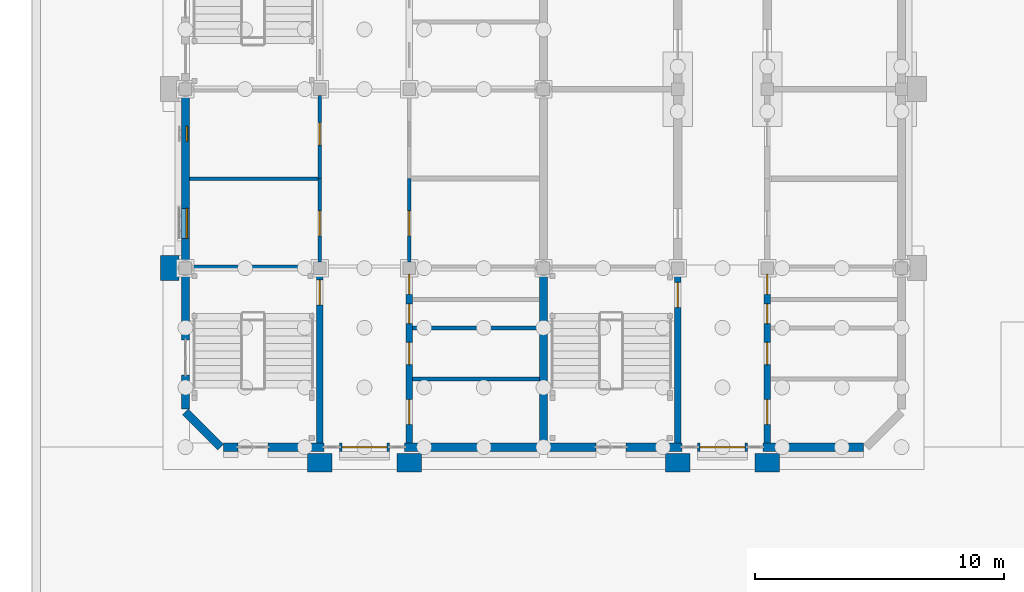
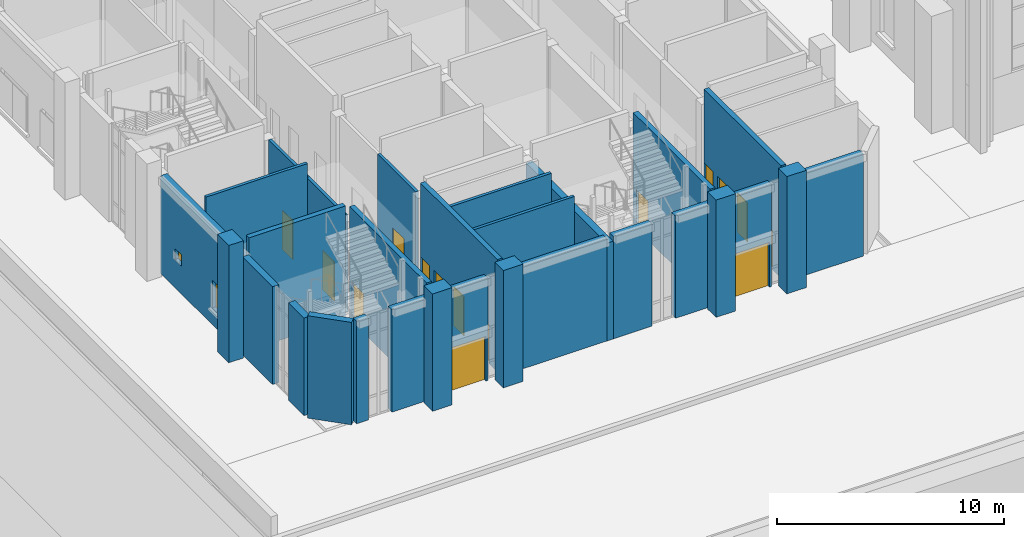
# One storey, part 32 of 84: 29 walls, 15 doors, 2 windows, 17 openings.
"""IFC4 building model written with IfcOpenShell, lengths in metres."""

from ifc_helpers import new_model, si_unit, direction, frame, frame_2d, origin, place, context, subcontext, project, spatial, rectangle, extrude, material, layer, layer_set, type_object, element, fill, save


model = new_model("IFC4")

# Units and contexts
model_context = context("Model", 3, precision=1e-05, world=origin(), true_north=direction((0.0, 1.0)))
body_context = subcontext(model_context, "Body", "Model", "MODEL_VIEW")
ifc_project = project(units=[si_unit("LENGTHUNIT", "METRE"), si_unit("AREAUNIT", "SQUARE_METRE"), si_unit("VOLUMEUNIT", "CUBIC_METRE"), si_unit("PLANEANGLEUNIT", "RADIAN"), si_unit("MASSUNIT", "GRAM", prefix="KILO")], contexts=[model_context])

# Site, building, storey
site_placement = place(None, origin())
site = spatial("IfcSite", under=ifc_project, at=site_placement, CompositionType="ELEMENT")
building_placement = place(site_placement, origin())
building = spatial("IfcBuilding", under=site, at=building_placement, Name="Mazhai Court Health Centre", CompositionType="ELEMENT")
storey_placement = place(building_placement, origin())
storey = spatial("IfcBuildingStorey", under=building, at=storey_placement, Name="L00", CompositionType="ELEMENT", Elevation=0.0)

# Walls
ifc_material_1 = material(Name="Clay brick masonry", Category="masonry")
ifc_layer_1 = layer(ifc_material_1, 0.75)
ifc_layer_set_1 = layer_set([ifc_layer_1], Name="BRICK PIER 750")
wall_type_1 = type_object("IfcWallType", Name="BRICK PIER 750", PredefinedType="SOLIDWALL", material=ifc_layer_set_1)
for number, where, z_axis, x_axis, name in (
    (1, (5.574951171875, 12.89990234375, 0.0), (0.0, 0.0, 1.0), (0.0, 1.0, 0.0), "EP-V2-L00-A1"),
    (2, (12.10009765625, 5.574951171875, 0.0), (0.0, 0.0, 1.0), (-1.0, 0.0, 0.0), "EP-V2-L00-S54"),
    (3, (15.699951171875, 5.574951171875, 0.0), (0.0, 0.0, 1.0), (-1.0, 0.0, 0.0), "EP-V2-L00-S90"),
    (4, (26.5, 5.574951171875, 0.0), (0.0, 0.0, 1.0), (-1.0, 0.0, 0.0), "EP-V5-L00-S54"),
    (5, (30.10009765625, 5.574951171875, 0.0), (0.0, 0.0, 1.0), (-1.0, 0.0, 0.0), "EP-V5-L00-S90"),
):
    element("IfcWall", number, at=place(storey_placement, frame(where, z_axis=z_axis, x_axis=x_axis)), inside=storey, type_object=wall_type_1, Name=name, PredefinedType="SOLIDWALL", context=body_context, shape_type="SweptSolid", body=[
        extrude(rectangle(XDim=1.0, YDim=0.75, at=frame_2d((0.5, 0.0))), origin(), (0.0, 0.0, 1.0), 6.300048828125),
    ])
ifc_material_2 = material(Name="Clay brick masonry", Category="masonry")
ifc_layer_2 = layer(ifc_material_2, 0.330078125)
ifc_layer_set_2 = layer_set([ifc_layer_2], Name="BRICK WALL 330 EXTERNAL")
wall_type_2 = type_object("IfcWallType", Name="BRICK WALL 330 EXTERNAL", PredefinedType="SOLIDWALL", material=ifc_layer_set_2)
wall_1_placement = place(storey_placement, frame((6.199951171875, 7.73095703125, 0.0), z_axis=(0.0, 0.0, 1.0), x_axis=(0.0, 1.0, 0.0)))
element("IfcWall", 6, at=wall_1_placement, inside=storey, type_object=wall_type_2, Name="EW-V2-L00-A0a", PredefinedType="SOLIDWALL", context=body_context, shape_type="SweptSolid", body=[
    extrude(rectangle(XDim=1.369140625, YDim=0.330078125, at=frame_2d((0.6845703125, 0.0))), origin(), (0.0, 0.0, 1.0), 5.25),
])
wall_2_placement = place(storey_placement, frame((6.199951171875, 10.5, 0.0), z_axis=(0.0, 0.0, 1.0), x_axis=(0.0, 1.0, 0.0)))
element("IfcWall", 7, at=wall_2_placement, inside=storey, type_object=wall_type_2, Name="EW-V2-L00-A0b", PredefinedType="SOLIDWALL", context=body_context, shape_type="SweptSolid", body=[
    extrude(rectangle(XDim=2.64990234375, YDim=0.330078125, at=frame_2d((1.324951171875, 0.0))), origin(), (0.0, 0.0, 1.0), 5.25),
])

# Wall, openings, windows
wall_3_placement = place(storey_placement, frame((6.199951171875, 13.64990234375, 0.0), z_axis=(0.0, 0.0, 1.0), x_axis=(0.0, 1.0, 0.0)))
wall_3 = element("IfcWall", 8, at=wall_3_placement, inside=storey, type_object=wall_type_2, Name="EW-V2-L00-A1p0", PredefinedType="SOLIDWALL", context=body_context, shape_type="SweptSolid", body=[
    extrude(rectangle(XDim=6.7001953125, YDim=0.330078125, at=frame_2d((3.35009765625, 0.0))), origin(), (0.0, 0.0, 1.0), 5.25),
])
opening_1_placement = place(wall_3_placement, frame((0.949951171875, 0.0, 0.89990234375)))
opening_1 = element("IfcOpeningElement", 9, at=opening_1_placement, cuts=wall_3, Name="Opening W12", PredefinedType="OPENING", context=body_context, shape_type="SweptSolid", body=[
    extrude(rectangle(XDim=1.199951171875, YDim=1.5, at=frame_2d((0.60009765625, 0.75))), frame((0.0, 0.175048828125, 0.0), z_axis=(0.0, -1.0, 0.0), x_axis=(1.0, 0.0, 0.0)), (0.0, 0.0, 1.0), 0.35009765625),
])
opening_2_placement = place(wall_3_placement, frame((4.85009765625, 0.0, 1.5)))
opening_2 = element("IfcOpeningElement", 10, at=opening_2_placement, cuts=wall_3, Name="Opening W5", PredefinedType="OPENING", context=body_context, shape_type="SweptSolid", body=[
    extrude(rectangle(XDim=0.60009765625, YDim=0.60009765625, at=frame_2d((0.300048828125, 0.300048828125))), frame((0.0, 0.175048828125, 0.0), z_axis=(0.0, -1.0, 0.0), x_axis=(1.0, 0.0, 0.0)), (0.0, 0.0, 1.0), 0.35009765625),
])
ifc_material_3 = material(Name="Teak timber frame, glazed", Category="wood")
window_type_1 = type_object("IfcWindowType", Name="WINDOW HIGH LEVEL 600x600", PartitioningType="SINGLE_PANEL", PredefinedType="WINDOW", material=ifc_material_3)
window_1_placement = place(opening_2_placement, origin())
window_1 = element("IfcWindow", 11, at=window_1_placement, inside=storey, type_object=window_type_1, Name="W5 WN-V2-L00-A11", OverallHeight=0.60009765625, OverallWidth=0.60009765625, PartitioningType="SINGLE_PANEL", PredefinedType="WINDOW", context=body_context, shape_type="SweptSolid", body=[
    extrude(rectangle(XDim=0.60009765625, YDim=0.60009765625, at=frame_2d((0.300048828125, 0.300048828125))), frame((0.0, -0.030029296875, 0.0), z_axis=(0.0, -1.0, 0.0), x_axis=(1.0, 0.0, 0.0)), (0.0, 0.0, 1.0), 0.06005859375),
])
fill(opening_2, window_1)
ifc_material_4 = material(Name="Teak timber frame, glazed", Category="wood")
window_type_2 = type_object("IfcWindowType", Name="WINDOW OFFICE 1200x1500", PartitioningType="SINGLE_PANEL", PredefinedType="WINDOW", material=ifc_material_4)
window_2_placement = place(opening_1_placement, origin())
window_2 = element("IfcWindow", 12, at=window_2_placement, inside=storey, type_object=window_type_2, Name="W12 WN-V2-L00-A10", OverallHeight=1.5, OverallWidth=1.199951171875, PartitioningType="SINGLE_PANEL", PredefinedType="WINDOW", context=body_context, shape_type="SweptSolid", body=[
    extrude(rectangle(XDim=1.199951171875, YDim=1.5, at=frame_2d((0.60009765625, 0.75))), frame((0.0, -0.030029296875, 0.0), z_axis=(0.0, -1.0, 0.0), x_axis=(1.0, 0.0, 0.0)), (0.0, 0.0, 1.0), 0.06005859375),
])
fill(opening_1, window_2)

# Walls
wall_4_placement = place(storey_placement, frame((8.320068359375, 6.199951171875, 0.0), z_axis=(0.0, 0.0, 1.0), x_axis=(-1.0, 0.0, 0.0)))
element("IfcWall", 13, at=wall_4_placement, inside=storey, type_object=wall_type_2, Name="EW-V2-L00-Sp0", PredefinedType="SOLIDWALL", context=body_context, shape_type="SweptSolid", body=[
    extrude(rectangle(XDim=0.589111328125, YDim=0.330078125, at=frame_2d((0.29443359375, 0.0))), origin(), (0.0, 0.0, 1.0), 5.5),
])
wall_5_placement = place(storey_placement, frame((11.780029296875, 6.199951171875, 0.0), z_axis=(0.0, 0.0, 1.0), x_axis=(-1.0, 0.0, 0.0)))
element("IfcWall", 14, at=wall_5_placement, inside=storey, type_object=wall_type_2, Name="EW-V2-L00-Sp1", PredefinedType="SOLIDWALL", context=body_context, shape_type="SweptSolid", body=[
    extrude(rectangle(XDim=2.260009765625, YDim=0.330078125, at=frame_2d((1.1298828125, 0.0))), origin(), (0.0, 0.0, 1.0), 5.5),
])

# Wall, opening, door
wall_6_placement = place(storey_placement, frame((14.39990234375, 6.199951171875, 0.0), z_axis=(0.0, 0.0, 1.0), x_axis=(-1.0, 0.0, 0.0)))
wall_6 = element("IfcWall", 15, at=wall_6_placement, inside=storey, type_object=wall_type_2, Name="EW-V2-L00-Sp2", PredefinedType="SOLIDWALL", context=body_context, shape_type="SweptSolid", body=[
    extrude(rectangle(XDim=2.0, YDim=0.330078125, at=frame_2d((1.0, 0.0))), origin(), (0.0, 0.0, 1.0), 5.5),
])
opening_3_placement = place(wall_6_placement, frame((0.10009765625, 0.0, 0.0)))
opening_3 = element("IfcOpeningElement", 16, at=opening_3_placement, cuts=wall_6, Name="Opening D-L00-008", PredefinedType="OPENING", context=body_context, shape_type="SweptSolid", body=[
    extrude(rectangle(XDim=1.800048828125, YDim=2.39990234375, at=frame_2d((0.89990234375, 1.199951171875))), frame((0.0, 0.175048828125, 0.0), z_axis=(0.0, -1.0, 0.0), x_axis=(1.0, 0.0, 0.0)), (0.0, 0.0, 1.0), 0.35009765625),
])
ifc_material_5 = material(Name="Teak timber door, glazed", Category="wood")
door_type_1 = type_object("IfcDoorType", Name="DOOR ENTRANCE DOUBLE 1800x2400", OperationType="DOUBLE_DOOR_SINGLE_SWING", PredefinedType="DOOR", material=ifc_material_5)
door_1_placement = place(opening_3_placement, origin())
door_1 = element("IfcDoor", 17, at=door_1_placement, inside=storey, type_object=door_type_1, Name="L00-E02", OperationType="DOUBLE_DOOR_SINGLE_SWING", OverallHeight=2.39990234375, OverallWidth=1.800048828125, PredefinedType="DOOR", context=body_context, shape_type="SweptSolid", body=[
    extrude(rectangle(XDim=1.800048828125, YDim=2.39990234375, at=frame_2d((0.89990234375, 1.199951171875))), frame((0.0, 0.02490234375, 0.0), z_axis=(0.0, -1.0, 0.0), x_axis=(1.0, 0.0, 0.0)), (0.0, 0.0, 1.0), 0.050048828125),
])
fill(opening_3, door_1)

# Walls
wall_7_placement = place(storey_placement, frame((20.43505859375, 6.199951171875, 0.0), z_axis=(0.0, 0.0, 1.0), x_axis=(-1.0, 0.0, 0.0)))
element("IfcWall", 18, at=wall_7_placement, inside=storey, type_object=wall_type_2, Name="EW-V2-L00-Sp3", PredefinedType="SOLIDWALL", context=body_context, shape_type="SweptSolid", body=[
    extrude(rectangle(XDim=5.4150390625, YDim=0.330078125, at=frame_2d((2.70751953125, 0.0))), origin(), (0.0, 0.0, 1.0), 5.5),
])
wall_8_placement = place(storey_placement, frame((6.199951171875, 7.614013671875, 0.0), z_axis=(0.0, 0.0, 1.0), x_axis=(0.707106781187, -0.707106781187, 0.0)))
element("IfcWall", 19, at=wall_8_placement, inside=storey, type_object=wall_type_2, Name="EW-V2-L00-CHA", PredefinedType="SOLIDWALL", context=body_context, shape_type="SweptSolid", body=[
    extrude(rectangle(XDim=1.999755859375, YDim=0.330078125, at=frame_2d((1.0, 0.0))), origin(), (0.0, 0.0, 1.0), 5.5),
])
wall_9_placement = place(storey_placement, frame((22.719970703125, 6.199951171875, 0.0), z_axis=(0.0, 0.0, 1.0), x_axis=(-1.0, 0.0, 0.0)))
element("IfcWall", 20, at=wall_9_placement, inside=storey, type_object=wall_type_2, Name="EW-V5-L00-Sp0", PredefinedType="SOLIDWALL", context=body_context, shape_type="SweptSolid", body=[
    extrude(rectangle(XDim=1.955078125, YDim=0.330078125, at=frame_2d((0.9775390625, 0.0))), origin(), (0.0, 0.0, 1.0), 5.5),
])
wall_10_placement = place(storey_placement, frame((26.179931640625, 6.199951171875, 0.0), z_axis=(0.0, 0.0, 1.0), x_axis=(-1.0, 0.0, 0.0)))
element("IfcWall", 21, at=wall_10_placement, inside=storey, type_object=wall_type_2, Name="EW-V5-L00-Sp1", PredefinedType="SOLIDWALL", context=body_context, shape_type="SweptSolid", body=[
    extrude(rectangle(XDim=2.260009765625, YDim=0.330078125, at=frame_2d((1.1298828125, 0.0))), origin(), (0.0, 0.0, 1.0), 5.5),
])

# Wall, opening, door
wall_11_placement = place(storey_placement, frame((28.800048828125, 6.199951171875, 0.0), z_axis=(0.0, 0.0, 1.0), x_axis=(-1.0, 0.0, 0.0)))
wall_11 = element("IfcWall", 22, at=wall_11_placement, inside=storey, type_object=wall_type_2, Name="EW-V5-L00-Sp2", PredefinedType="SOLIDWALL", context=body_context, shape_type="SweptSolid", body=[
    extrude(rectangle(XDim=2.0, YDim=0.330078125, at=frame_2d((1.0, 0.0))), origin(), (0.0, 0.0, 1.0), 5.5),
])
opening_4_placement = place(wall_11_placement, frame((0.10009765625, 0.0, 0.0)))
opening_4 = element("IfcOpeningElement", 23, at=opening_4_placement, cuts=wall_11, Name="Opening D-L00-029", PredefinedType="OPENING", context=body_context, shape_type="SweptSolid", body=[
    extrude(rectangle(XDim=1.800048828125, YDim=2.39990234375, at=frame_2d((0.89990234375, 1.199951171875))), frame((0.0, 0.175048828125, 0.0), z_axis=(0.0, -1.0, 0.0), x_axis=(1.0, 0.0, 0.0)), (0.0, 0.0, 1.0), 0.35009765625),
])
door_2_placement = place(opening_4_placement, origin())
door_2 = element("IfcDoor", 24, at=door_2_placement, inside=storey, type_object=door_type_1, Name="L00-E04", OperationType="DOUBLE_DOOR_SINGLE_SWING", OverallHeight=2.39990234375, OverallWidth=1.800048828125, PredefinedType="DOOR", context=body_context, shape_type="SweptSolid", body=[
    extrude(rectangle(XDim=1.800048828125, YDim=2.39990234375, at=frame_2d((0.89990234375, 1.199951171875))), frame((0.0, 0.02490234375, 0.0), z_axis=(0.0, -1.0, 0.0), x_axis=(1.0, 0.0, 0.0)), (0.0, 0.0, 1.0), 0.050048828125),
])
fill(opening_4, door_2)

# Walls
wall_12_placement = place(storey_placement, frame((33.468994140625, 6.199951171875, 0.0), z_axis=(0.0, 0.0, 1.0), x_axis=(-1.0, 0.0, 0.0)))
element("IfcWall", 25, at=wall_12_placement, inside=storey, type_object=wall_type_2, Name="EW-V5-L00-Sp3", PredefinedType="SOLIDWALL", context=body_context, shape_type="SweptSolid", body=[
    extrude(rectangle(XDim=4.049072265625, YDim=0.330078125, at=frame_2d((2.0244140625, 0.0))), origin(), (0.0, 0.0, 1.0), 5.5),
])
ifc_material_6 = material(Name="Clay brick masonry", Category="masonry")
ifc_layer_3 = layer(ifc_material_6, 0.330078125)
ifc_layer_set_3 = layer_set([ifc_layer_3], Name="BRICK WALL 330 INTERNAL")
wall_type_3 = type_object("IfcWallType", Name="BRICK WALL 330 INTERNAL", PredefinedType="SOLIDWALL", material=ifc_layer_set_3)
wall_13_placement = place(storey_placement, frame((20.60009765625, 13.14990234375, 0.0), z_axis=(0.0, 0.0, 1.0), x_axis=(0.0, -1.0, 0.0)))
element("IfcWall", 26, at=wall_13_placement, inside=storey, type_object=wall_type_3, Name="EW-V2-L00-B0", PredefinedType="SOLIDWALL", context=body_context, shape_type="SweptSolid", body=[
    extrude(rectangle(XDim=7.114990234375, YDim=0.330078125, at=frame_2d((3.5576171875, 0.0))), origin(), (0.0, 0.0, 1.0), 5.25),
])

# Wall, opening, door
ifc_material_7 = material(Name="Gypsum plasterboard partition")
ifc_layer_4 = layer(ifc_material_7, 0.14990234375)
ifc_layer_set_4 = layer_set([ifc_layer_4], Name="PARTITION 150 CORRIDOR EI60")
wall_type_4 = type_object("IfcWallType", Name="PARTITION 150 CORRIDOR EI60", PredefinedType="PARTITIONING", material=ifc_layer_set_4)
wall_14_placement = place(storey_placement, frame((11.60009765625, 13.64990234375, 0.0), z_axis=(0.0, 0.0, 1.0), x_axis=(0.0, 1.0, 0.0)))
wall_14 = element("IfcWall", 27, at=wall_14_placement, inside=storey, type_object=wall_type_4, Name="wall-V2-L00-A0-corr-0a", PredefinedType="PARTITIONING", context=body_context, shape_type="SweptSolid", body=[
    extrude(rectangle(XDim=3.35009765625, YDim=0.14990234375, at=frame_2d((1.675048828125, 0.0))), origin(), (0.0, 0.0, 1.0), 5.25),
])
opening_5_placement = place(wall_14_placement, frame((1.050048828125, 0.0, 0.0)))
opening_5 = element("IfcOpeningElement", 28, at=opening_5_placement, cuts=wall_14, Name="Opening D-L00-003", PredefinedType="OPENING", context=body_context, shape_type="SweptSolid", body=[
    extrude(rectangle(XDim=1.0, YDim=2.10009765625, at=frame_2d((0.5, 1.050048828125))), frame((0.0, 0.0849609375, 0.0), z_axis=(0.0, -1.0, 0.0), x_axis=(1.0, 0.0, 0.0)), (0.0, 0.0, 1.0), 0.169921875),
])
ifc_material_8 = material(Name="Hardwood door leaf", Category="wood")
door_type_2 = type_object("IfcDoorType", Name="DOOR 1000x2100 FD30S SINGLE", OperationType="NOTDEFINED", PredefinedType="DOOR", material=ifc_material_8)
door_3_placement = place(opening_5_placement, origin())
door_3 = element("IfcDoor", 29, at=door_3_placement, inside=storey, type_object=door_type_2, Name="door-V2-L00-A0-admission-reception", OperationType="SINGLE_SWING_LEFT", OverallHeight=2.10009765625, OverallWidth=1.0, PredefinedType="DOOR", context=body_context, shape_type="SweptSolid", body=[
    extrude(rectangle(XDim=1.0, YDim=2.10009765625, at=frame_2d((0.5, 1.050048828125))), frame((0.0, 0.02490234375, 0.0), z_axis=(0.0, -1.0, 0.0), x_axis=(1.0, 0.0, 0.0)), (0.0, 0.0, 1.0), 0.050048828125),
])
fill(opening_5, door_3)

wall_15_placement = place(storey_placement, frame((11.60009765625, 20.35009765625, 0.0), z_axis=(0.0, 0.0, 1.0), x_axis=(0.0, -1.0, 0.0)))
wall_15 = element("IfcWall", 30, at=wall_15_placement, inside=storey, type_object=wall_type_4, Name="wall-V2-L00-A0-corr-1a", PredefinedType="PARTITIONING", context=body_context, shape_type="SweptSolid", body=[
    extrude(rectangle(XDim=3.35009765625, YDim=0.14990234375, at=frame_2d((1.675048828125, 0.0))), origin(), (0.0, 0.0, 1.0), 5.25),
])
opening_6_placement = place(wall_15_placement, frame((1.10009765625, 0.0, 0.0)))
opening_6 = element("IfcOpeningElement", 31, at=opening_6_placement, cuts=wall_15, Name="Opening D-L00-004", PredefinedType="OPENING", context=body_context, shape_type="SweptSolid", body=[
    extrude(rectangle(XDim=0.89990234375, YDim=2.10009765625, at=frame_2d((0.449951171875, 1.050048828125))), frame((0.0, 0.0849609375, 0.0), z_axis=(0.0, -1.0, 0.0), x_axis=(1.0, 0.0, 0.0)), (0.0, 0.0, 1.0), 0.169921875),
])
ifc_material_9 = material(Name="Hardwood door leaf", Category="wood")
door_type_3 = type_object("IfcDoorType", Name="DOOR 900x2100 FD30S SINGLE", OperationType="NOTDEFINED", PredefinedType="DOOR", material=ifc_material_9)
door_4_placement = place(opening_6_placement, origin())
door_4 = element("IfcDoor", 32, at=door_4_placement, inside=storey, type_object=door_type_3, Name="door-V2-L00-A0-accessible-wc", OperationType="SINGLE_SWING_LEFT", OverallHeight=2.10009765625, OverallWidth=0.89990234375, PredefinedType="DOOR", context=body_context, shape_type="SweptSolid", body=[
    extrude(rectangle(XDim=0.89990234375, YDim=2.10009765625, at=frame_2d((0.449951171875, 1.050048828125))), frame((0.0, 0.02490234375, 0.0), z_axis=(0.0, -1.0, 0.0), x_axis=(1.0, 0.0, 0.0)), (0.0, 0.0, 1.0), 0.050048828125),
])
fill(opening_6, door_4)

wall_16_placement = place(storey_placement, frame((15.199951171875, 17.0, 0.0), z_axis=(0.0, 0.0, 1.0), x_axis=(0.0, -1.0, 0.0)))
wall_16 = element("IfcWall", 33, at=wall_16_placement, inside=storey, type_object=wall_type_4, Name="wall-V2-L00-B0-corr-0a", PredefinedType="PARTITIONING", context=body_context, shape_type="SweptSolid", body=[
    extrude(rectangle(XDim=3.35009765625, YDim=0.14990234375, at=frame_2d((1.675048828125, 0.0))), origin(), (0.0, 0.0, 1.0), 5.25),
])
opening_7_placement = place(wall_16_placement, frame((1.300048828125, 0.0, 0.0)))
opening_7 = element("IfcOpeningElement", 34, at=opening_7_placement, cuts=wall_16, Name="Opening D-L00-014", PredefinedType="OPENING", context=body_context, shape_type="SweptSolid", body=[
    extrude(rectangle(XDim=1.0, YDim=2.10009765625, at=frame_2d((0.5, 1.050048828125))), frame((0.0, 0.0849609375, 0.0), z_axis=(0.0, -1.0, 0.0), x_axis=(1.0, 0.0, 0.0)), (0.0, 0.0, 1.0), 0.169921875),
])
door_5_placement = place(opening_7_placement, origin())
door_5 = element("IfcDoor", 35, at=door_5_placement, inside=storey, type_object=door_type_2, Name="door-V2-L00-B0-anaesthetic-assessment-room", OperationType="SINGLE_SWING_RIGHT", OverallHeight=2.10009765625, OverallWidth=1.0, PredefinedType="DOOR", context=body_context, shape_type="SweptSolid", body=[
    extrude(rectangle(XDim=1.0, YDim=2.10009765625, at=frame_2d((0.5, 1.050048828125))), frame((0.0, 0.02490234375, 0.0), z_axis=(0.0, -1.0, 0.0), x_axis=(1.0, 0.0, 0.0)), (0.0, 0.0, 1.0), 0.050048828125),
])
fill(opening_7, door_5)

# Wall
ifc_material_10 = material(Name="Gypsum plasterboard partition")
ifc_layer_5 = layer(ifc_material_10, 0.14990234375)
ifc_layer_set_5 = layer_set([ifc_layer_5], Name="PARTITION 150 WET AREA EI30")
wall_type_5 = type_object("IfcWallType", Name="PARTITION 150 WET AREA EI30", PredefinedType="PARTITIONING", material=ifc_layer_set_5)
wall_17_placement = place(storey_placement, frame((6.364990234375, 17.0, 0.0), z_axis=(0.0, 0.0, 1.0), x_axis=(1.0, 0.0, 0.0)))
element("IfcWall", 36, at=wall_17_placement, inside=storey, type_object=wall_type_5, Name="wall-V2-L00-A0-cross-1a", PredefinedType="PARTITIONING", context=body_context, shape_type="SweptSolid", body=[
    extrude(rectangle(XDim=5.159912109375, YDim=0.14990234375, at=frame_2d((2.580078125, 0.0))), origin(), (0.0, 0.0, 1.0), 6.050048828125),
])

# Wall, opening, door
ifc_material_11 = material(Name="Concrete M40", Category="concrete")
ifc_layer_6 = layer(ifc_material_11, 0.25)
ifc_layer_set_6 = layer_set([ifc_layer_6], Name="RC CORE WALL 250 M40")
wall_type_6 = type_object("IfcWallType", Name="RC CORE WALL 250 M40", PredefinedType="SHEAR", material=ifc_layer_set_6)
wall_18_placement = place(storey_placement, frame((11.60009765625, 6.364990234375, 0.0), z_axis=(0.0, 0.0, 1.0), x_axis=(0.0, 1.0, 0.0)))
wall_18 = element("IfcWall", 37, at=wall_18_placement, inside=storey, type_object=wall_type_6, Name="core-C1-w-stair-corr-L00", PredefinedType="SHEAR", context=body_context, shape_type="SweptSolid", body=[
    extrude(rectangle(XDim=6.784912109375, YDim=0.25, at=frame_2d((3.392578125, 0.0))), origin(), (0.0, 0.0, 1.0), 6.050048828125),
])
opening_8_placement = place(wall_18_placement, frame((5.56005859375, 0.0, 0.0)))
opening_8 = element("IfcOpeningElement", 38, at=opening_8_placement, cuts=wall_18, Name="Opening D-L00-002", PredefinedType="OPENING", context=body_context, shape_type="SweptSolid", body=[
    extrude(rectangle(XDim=1.0, YDim=2.10009765625, at=frame_2d((0.5, 1.050048828125))), frame((0.0, 0.135009765625, 0.0), z_axis=(0.0, -1.0, 0.0), x_axis=(1.0, 0.0, 0.0)), (0.0, 0.0, 1.0), 0.27001953125),
])
ifc_material_12 = material(Name="Steel fire door leaf", Category="steel")
door_type_4 = type_object("IfcDoorType", Name="FD120S STAIR DOOR 1000x2100", OperationType="SINGLE_SWING_LEFT", PredefinedType="DOOR", material=ifc_material_12)
door_6_placement = place(opening_8_placement, origin())
door_6 = element("IfcDoor", 39, at=door_6_placement, inside=storey, type_object=door_type_4, Name="Stair 1 door L00", OperationType="SINGLE_SWING_LEFT", OverallHeight=2.10009765625, OverallWidth=1.0, PredefinedType="DOOR", context=body_context, shape_type="SweptSolid", body=[
    extrude(rectangle(XDim=1.0, YDim=2.10009765625, at=frame_2d((0.5, 1.050048828125))), frame((0.0, 0.02490234375, 0.0), z_axis=(0.0, -1.0, 0.0), x_axis=(1.0, 0.0, 0.0)), (0.0, 0.0, 1.0), 0.050048828125),
])
fill(opening_8, door_6)

# Wall
wall_19_placement = place(storey_placement, frame((6.449951171875, 13.39990234375, 0.0), z_axis=(0.0, 0.0, 1.0), x_axis=(1.0, 0.0, 0.0)))
element("IfcWall", 40, at=wall_19_placement, inside=storey, type_object=wall_type_6, Name="core-C1-w-stair-line0-L00", PredefinedType="SHEAR", context=body_context, shape_type="SweptSolid", body=[
    extrude(rectangle(XDim=4.900146484375, YDim=0.25, at=frame_2d((2.4501953125, 0.0))), origin(), (0.0, 0.0, 1.0), 6.050048828125),
])

# Wall, openings, doors
wall_20_placement = place(storey_placement, frame((15.199951171875, 6.364990234375, 0.0), z_axis=(0.0, 0.0, 1.0), x_axis=(0.0, 1.0, 0.0)))
wall_20 = element("IfcWall", 41, at=wall_20_placement, inside=storey, type_object=wall_type_6, Name="core-C1-w-other-corr-L00", PredefinedType="SHEAR", context=body_context, shape_type="SweptSolid", body=[
    extrude(rectangle(XDim=6.784912109375, YDim=0.25, at=frame_2d((3.392578125, 0.0))), origin(), (0.0, 0.0, 1.0), 6.050048828125),
])
opening_9_placement = place(wall_20_placement, frame((0.75, 0.0, 0.0)))
opening_9 = element("IfcOpeningElement", 42, at=opening_9_placement, cuts=wall_20, Name="Opening D-L00-010", PredefinedType="OPENING", context=body_context, shape_type="SweptSolid", body=[
    extrude(rectangle(XDim=1.0, YDim=2.10009765625, at=frame_2d((0.5, 1.050048828125))), frame((0.0, 0.135009765625, 0.0), z_axis=(0.0, -1.0, 0.0), x_axis=(1.0, 0.0, 0.0)), (0.0, 0.0, 1.0), 0.27001953125),
])
opening_10_placement = place(wall_20_placement, frame((3.14990234375, 0.0, 0.0)))
opening_10 = element("IfcOpeningElement", 43, at=opening_10_placement, cuts=wall_20, Name="Opening D-L00-011", PredefinedType="OPENING", context=body_context, shape_type="SweptSolid", body=[
    extrude(rectangle(XDim=0.89990234375, YDim=2.10009765625, at=frame_2d((0.449951171875, 1.050048828125))), frame((0.0, 0.135009765625, 0.0), z_axis=(0.0, -1.0, 0.0), x_axis=(1.0, 0.0, 0.0)), (0.0, 0.0, 1.0), 0.27001953125),
])
opening_11_placement = place(wall_20_placement, frame((4.800048828125, 0.0, 0.0)))
opening_11 = element("IfcOpeningElement", 44, at=opening_11_placement, cuts=wall_20, Name="Opening D-L00-012", PredefinedType="OPENING", context=body_context, shape_type="SweptSolid", body=[
    extrude(rectangle(XDim=0.800048828125, YDim=2.10009765625, at=frame_2d((0.39990234375, 1.050048828125))), frame((0.0, 0.135009765625, 0.0), z_axis=(0.0, -1.0, 0.0), x_axis=(1.0, 0.0, 0.0)), (0.0, 0.0, 1.0), 0.27001953125),
])
opening_12_placement = place(wall_20_placement, frame((5.97998046875, 0.0, 0.0)))
opening_12 = element("IfcOpeningElement", 45, at=opening_12_placement, cuts=wall_20, Name="Opening D-L00-013", PredefinedType="OPENING", context=body_context, shape_type="SweptSolid", body=[
    extrude(rectangle(XDim=0.800048828125, YDim=2.10009765625, at=frame_2d((0.39990234375, 1.050048828125))), frame((0.0, 0.135009765625, 0.0), z_axis=(0.0, -1.0, 0.0), x_axis=(1.0, 0.0, 0.0)), (0.0, 0.0, 1.0), 0.27001953125),
])
ifc_material_13 = material(Name="Timber door leaf", Category="wood")
door_type_5 = type_object("IfcDoorType", Name="ACCESSIBLE WC DOOR 1000x2100", OperationType="SINGLE_SWING_RIGHT", PredefinedType="DOOR", material=ifc_material_13)
door_7_placement = place(opening_9_placement, origin())
door_7 = element("IfcDoor", 46, at=door_7_placement, inside=storey, type_object=door_type_5, Name="Accessible WC door L00", OperationType="SINGLE_SWING_LEFT", OverallHeight=2.10009765625, OverallWidth=1.0, PredefinedType="DOOR", context=body_context, shape_type="SweptSolid", body=[
    extrude(rectangle(XDim=1.0, YDim=2.10009765625, at=frame_2d((0.5, 1.050048828125))), frame((0.0, 0.02490234375, 0.0), z_axis=(0.0, -1.0, 0.0), x_axis=(1.0, 0.0, 0.0)), (0.0, 0.0, 1.0), 0.050048828125),
])
fill(opening_9, door_7)
ifc_material_14 = material(Name="Timber door leaf", Category="wood")
door_type_6 = type_object("IfcDoorType", Name="CLEANER STORE DOOR 800x2100", OperationType="SINGLE_SWING_LEFT", PredefinedType="DOOR", material=ifc_material_14)
door_8_placement = place(opening_11_placement, origin())
door_8 = element("IfcDoor", 47, at=door_8_placement, inside=storey, type_object=door_type_6, Name="Cleaner door L00", OperationType="SINGLE_SWING_LEFT", OverallHeight=2.10009765625, OverallWidth=0.800048828125, PredefinedType="DOOR", context=body_context, shape_type="SweptSolid", body=[
    extrude(rectangle(XDim=0.800048828125, YDim=2.10009765625, at=frame_2d((0.39990234375, 1.050048828125))), frame((0.0, 0.02490234375, 0.0), z_axis=(0.0, -1.0, 0.0), x_axis=(1.0, 0.0, 0.0)), (0.0, 0.0, 1.0), 0.050048828125),
])
fill(opening_11, door_8)
ifc_material_15 = material(Name="Steel fire door leaf", Category="steel")
door_type_7 = type_object("IfcDoorType", Name="FD60S RISER DOOR 800x2100", OperationType="SINGLE_SWING_LEFT", PredefinedType="DOOR", material=ifc_material_15)
door_9_placement = place(opening_12_placement, origin())
door_9 = element("IfcDoor", 48, at=door_9_placement, inside=storey, type_object=door_type_7, Name="Riser door L00", OperationType="SINGLE_SWING_LEFT", OverallHeight=2.10009765625, OverallWidth=0.800048828125, PredefinedType="DOOR", context=body_context, shape_type="SweptSolid", body=[
    extrude(rectangle(XDim=0.800048828125, YDim=2.10009765625, at=frame_2d((0.39990234375, 1.050048828125))), frame((0.0, 0.02490234375, 0.0), z_axis=(0.0, -1.0, 0.0), x_axis=(1.0, 0.0, 0.0)), (0.0, 0.0, 1.0), 0.050048828125),
])
fill(opening_12, door_9)
ifc_material_16 = material(Name="Timber door leaf", Category="wood")
door_type_8 = type_object("IfcDoorType", Name="WC DOOR 900x2100", OperationType="SINGLE_SWING_LEFT", PredefinedType="DOOR", material=ifc_material_16)
door_10_placement = place(opening_10_placement, origin())
door_10 = element("IfcDoor", 49, at=door_10_placement, inside=storey, type_object=door_type_8, Name="WC door L00", OperationType="SINGLE_SWING_LEFT", OverallHeight=2.10009765625, OverallWidth=0.89990234375, PredefinedType="DOOR", context=body_context, shape_type="SweptSolid", body=[
    extrude(rectangle(XDim=0.89990234375, YDim=2.10009765625, at=frame_2d((0.449951171875, 1.050048828125))), frame((0.0, 0.02490234375, 0.0), z_axis=(0.0, -1.0, 0.0), x_axis=(1.0, 0.0, 0.0)), (0.0, 0.0, 1.0), 0.050048828125),
])
fill(opening_10, door_10)

# Wall, opening, door
wall_21_placement = place(storey_placement, frame((26.0, 6.364990234375, 0.0), z_axis=(0.0, 0.0, 1.0), x_axis=(0.0, 1.0, 0.0)))
wall_21 = element("IfcWall", 50, at=wall_21_placement, inside=storey, type_object=wall_type_6, Name="core-C4-w-stair-corr-L00", PredefinedType="SHEAR", context=body_context, shape_type="SweptSolid", body=[
    extrude(rectangle(XDim=6.784912109375, YDim=0.25, at=frame_2d((3.392578125, 0.0))), origin(), (0.0, 0.0, 1.0), 6.050048828125),
])
opening_13_placement = place(wall_21_placement, frame((5.4599609375, 0.0, 0.0)))
opening_13 = element("IfcOpeningElement", 51, at=opening_13_placement, cuts=wall_21, Name="Opening D-L00-023", PredefinedType="OPENING", context=body_context, shape_type="SweptSolid", body=[
    extrude(rectangle(XDim=1.0, YDim=2.10009765625, at=frame_2d((0.5, 1.050048828125))), frame((0.0, 0.135009765625, 0.0), z_axis=(0.0, -1.0, 0.0), x_axis=(1.0, 0.0, 0.0)), (0.0, 0.0, 1.0), 0.27001953125),
])
door_11_placement = place(opening_13_placement, origin())
door_11 = element("IfcDoor", 52, at=door_11_placement, inside=storey, type_object=door_type_4, Name="Stair 4 door L00", OperationType="SINGLE_SWING_RIGHT", OverallHeight=2.10009765625, OverallWidth=1.0, PredefinedType="DOOR", context=body_context, shape_type="SweptSolid", body=[
    extrude(rectangle(XDim=1.0, YDim=2.10009765625, at=frame_2d((0.5, 1.050048828125))), frame((0.0, 0.02490234375, 0.0), z_axis=(0.0, -1.0, 0.0), x_axis=(1.0, 0.0, 0.0)), (0.0, 0.0, 1.0), 0.050048828125),
])
fill(opening_13, door_11)

# Wall, openings, doors
wall_22_placement = place(storey_placement, frame((29.60009765625, 6.364990234375, 0.0), z_axis=(0.0, 0.0, 1.0), x_axis=(0.0, 1.0, 0.0)))
wall_22 = element("IfcWall", 53, at=wall_22_placement, inside=storey, type_object=wall_type_6, Name="core-C4-w-other-corr-L00", PredefinedType="SHEAR", context=body_context, shape_type="SweptSolid", body=[
    extrude(rectangle(XDim=6.784912109375, YDim=0.25, at=frame_2d((3.392578125, 0.0))), origin(), (0.0, 0.0, 1.0), 6.050048828125),
])
opening_14_placement = place(wall_22_placement, frame((0.75, 0.0, 0.0)))
opening_14 = element("IfcOpeningElement", 54, at=opening_14_placement, cuts=wall_22, Name="Opening D-L00-031", PredefinedType="OPENING", context=body_context, shape_type="SweptSolid", body=[
    extrude(rectangle(XDim=1.0, YDim=2.10009765625, at=frame_2d((0.5, 1.050048828125))), frame((0.0, 0.135009765625, 0.0), z_axis=(0.0, -1.0, 0.0), x_axis=(1.0, 0.0, 0.0)), (0.0, 0.0, 1.0), 0.27001953125),
])
opening_15_placement = place(wall_22_placement, frame((3.14990234375, 0.0, 0.0)))
opening_15 = element("IfcOpeningElement", 55, at=opening_15_placement, cuts=wall_22, Name="Opening D-L00-032", PredefinedType="OPENING", context=body_context, shape_type="SweptSolid", body=[
    extrude(rectangle(XDim=0.89990234375, YDim=2.10009765625, at=frame_2d((0.449951171875, 1.050048828125))), frame((0.0, 0.135009765625, 0.0), z_axis=(0.0, -1.0, 0.0), x_axis=(1.0, 0.0, 0.0)), (0.0, 0.0, 1.0), 0.27001953125),
])
opening_16_placement = place(wall_22_placement, frame((4.800048828125, 0.0, 0.0)))
opening_16 = element("IfcOpeningElement", 56, at=opening_16_placement, cuts=wall_22, Name="Opening D-L00-033", PredefinedType="OPENING", context=body_context, shape_type="SweptSolid", body=[
    extrude(rectangle(XDim=0.800048828125, YDim=2.10009765625, at=frame_2d((0.39990234375, 1.050048828125))), frame((0.0, 0.135009765625, 0.0), z_axis=(0.0, -1.0, 0.0), x_axis=(1.0, 0.0, 0.0)), (0.0, 0.0, 1.0), 0.27001953125),
])
opening_17_placement = place(wall_22_placement, frame((5.97998046875, 0.0, 0.0)))
opening_17 = element("IfcOpeningElement", 57, at=opening_17_placement, cuts=wall_22, Name="Opening D-L00-034", PredefinedType="OPENING", context=body_context, shape_type="SweptSolid", body=[
    extrude(rectangle(XDim=0.800048828125, YDim=2.10009765625, at=frame_2d((0.39990234375, 1.050048828125))), frame((0.0, 0.135009765625, 0.0), z_axis=(0.0, -1.0, 0.0), x_axis=(1.0, 0.0, 0.0)), (0.0, 0.0, 1.0), 0.27001953125),
])
door_12_placement = place(opening_14_placement, origin())
door_12 = element("IfcDoor", 58, at=door_12_placement, inside=storey, type_object=door_type_5, Name="Accessible WC door L00", OperationType="SINGLE_SWING_LEFT", OverallHeight=2.10009765625, OverallWidth=1.0, PredefinedType="DOOR", context=body_context, shape_type="SweptSolid", body=[
    extrude(rectangle(XDim=1.0, YDim=2.10009765625, at=frame_2d((0.5, 1.050048828125))), frame((0.0, 0.02490234375, 0.0), z_axis=(0.0, -1.0, 0.0), x_axis=(1.0, 0.0, 0.0)), (0.0, 0.0, 1.0), 0.050048828125),
])
fill(opening_14, door_12)
door_13_placement = place(opening_16_placement, origin())
door_13 = element("IfcDoor", 59, at=door_13_placement, inside=storey, type_object=door_type_6, Name="Cleaner door L00", OperationType="SINGLE_SWING_LEFT", OverallHeight=2.10009765625, OverallWidth=0.800048828125, PredefinedType="DOOR", context=body_context, shape_type="SweptSolid", body=[
    extrude(rectangle(XDim=0.800048828125, YDim=2.10009765625, at=frame_2d((0.39990234375, 1.050048828125))), frame((0.0, 0.02490234375, 0.0), z_axis=(0.0, -1.0, 0.0), x_axis=(1.0, 0.0, 0.0)), (0.0, 0.0, 1.0), 0.050048828125),
])
fill(opening_16, door_13)
door_14_placement = place(opening_17_placement, origin())
door_14 = element("IfcDoor", 60, at=door_14_placement, inside=storey, type_object=door_type_7, Name="Riser door L00", OperationType="SINGLE_SWING_LEFT", OverallHeight=2.10009765625, OverallWidth=0.800048828125, PredefinedType="DOOR", context=body_context, shape_type="SweptSolid", body=[
    extrude(rectangle(XDim=0.800048828125, YDim=2.10009765625, at=frame_2d((0.39990234375, 1.050048828125))), frame((0.0, 0.02490234375, 0.0), z_axis=(0.0, -1.0, 0.0), x_axis=(1.0, 0.0, 0.0)), (0.0, 0.0, 1.0), 0.050048828125),
])
fill(opening_17, door_14)
door_15_placement = place(opening_15_placement, origin())
door_15 = element("IfcDoor", 61, at=door_15_placement, inside=storey, type_object=door_type_8, Name="WC door L00", OperationType="SINGLE_SWING_LEFT", OverallHeight=2.10009765625, OverallWidth=0.89990234375, PredefinedType="DOOR", context=body_context, shape_type="SweptSolid", body=[
    extrude(rectangle(XDim=0.89990234375, YDim=2.10009765625, at=frame_2d((0.449951171875, 1.050048828125))), frame((0.0, 0.02490234375, 0.0), z_axis=(0.0, -1.0, 0.0), x_axis=(1.0, 0.0, 0.0)), (0.0, 0.0, 1.0), 0.050048828125),
])
fill(opening_15, door_15)

# Walls
ifc_material_17 = material(Name="Concrete M25", Category="concrete")
ifc_layer_7 = layer(ifc_material_17, 0.14990234375)
ifc_layer_set_7 = layer_set([ifc_layer_7], Name="RC SERVICE ROOM WALL 150 M25")
wall_type_7 = type_object("IfcWallType", Name="RC SERVICE ROOM WALL 150 M25", PredefinedType="PARTITIONING", material=ifc_layer_set_7)
for number, where, z_axis, x_axis, name in (
    (62, (15.324951171875, 8.93994140625, 0.0), (0.0, 0.0, 1.0), (1.0, 0.0, 0.0), "core-C1-w-room0-L00"),
    (63, (15.324951171875, 10.989990234375, 0.0), (0.0, 0.0, 1.0), (1.0, 0.0, 0.0), "core-C1-w-room1-L00"),
):
    element("IfcWall", number, at=place(storey_placement, frame(where, z_axis=z_axis, x_axis=x_axis)), inside=storey, type_object=wall_type_7, Name=name, PredefinedType="PARTITIONING", context=body_context, shape_type="SweptSolid", body=[
        extrude(rectangle(XDim=5.110107421875, YDim=0.14990234375, at=frame_2d((2.55517578125, 0.0))), origin(), (0.0, 0.0, 1.0), 6.050048828125),
    ])

save(model, "model.ifc")
